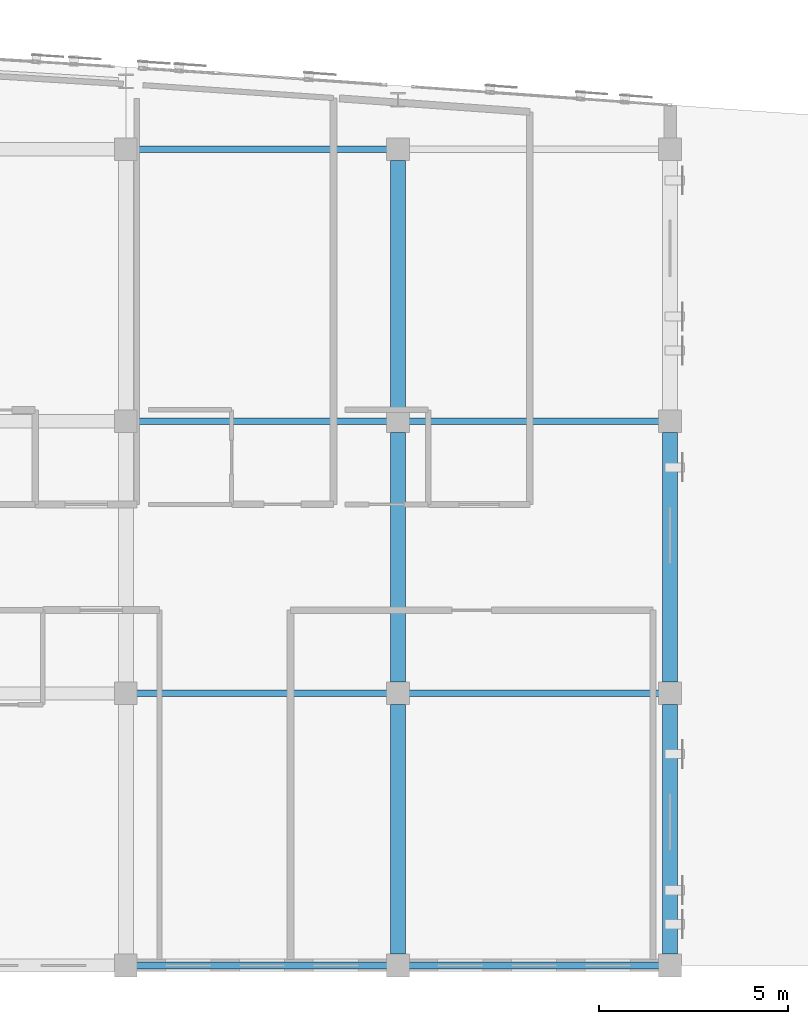
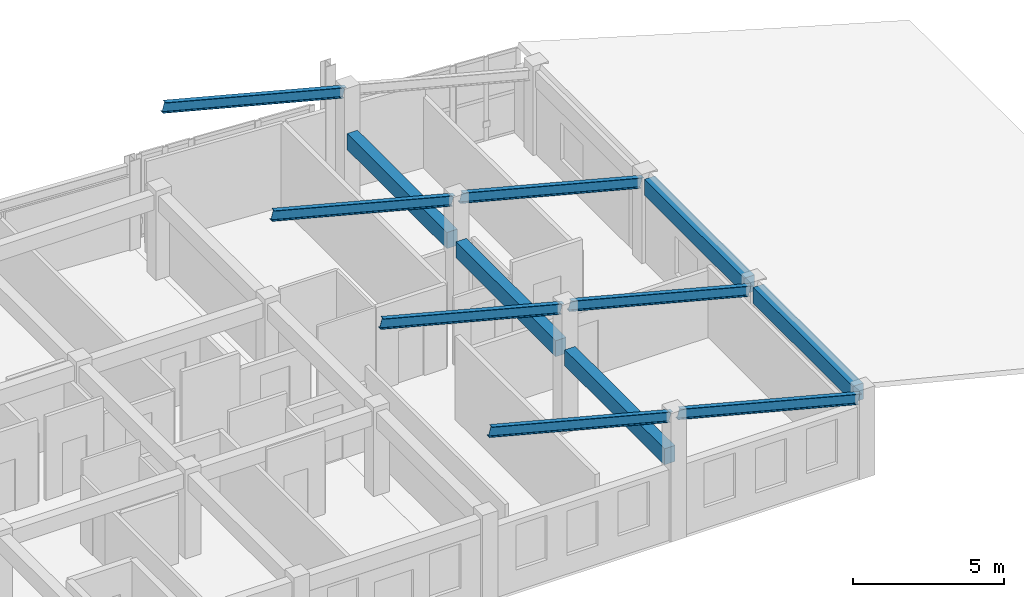
# One storey, part 22 of 41: 12 beams.
"""IFC4 building model written with IfcOpenShell, lengths in metres."""

import ifcopenshell
import ifcopenshell.guid

model = None  # the IFC model being written
_history = None  # IfcOwnerHistory: only IFC2X3 demands one
_inside = {}  # id of a spatial element -> (the spatial element, [elements in it])
_under = {}  # id of a project, library or spatial element -> (it, [spatial elements below it])
_declared = {}  # id of a project -> (the project, [libraries it declares])
_typed = {}  # id of a type object -> (the type object, [elements of that type])
_made_of = {}  # id of a material, layer set ... -> (it, [elements and type objects made of it])


def new_model(schema):
    """Start an empty IFC model of exactly this schema.

    Asked for "IFC4X3", IfcOpenShell would pick the latest addendum, in which some entities
    have other attributes; the version numbers below select the first issue.
    IFC2X3 requires an IfcOwnerHistory on every rooted entity: one is made here for all.
    """
    global model, _history
    if schema == "IFC4X3":
        model = ifcopenshell.file(schema_version=(4, 3, 0, 0))
    else:
        model = ifcopenshell.file(schema=schema)
    _inside.clear()
    _under.clear()
    _declared.clear()
    _typed.clear()
    _made_of.clear()
    _history = None
    if model.schema == "IFC2X3":
        org = make("IfcOrganization", Name="unknown")
        user = make(
            "IfcPersonAndOrganization",
            ThePerson=make("IfcPerson", FamilyName="unknown"),
            TheOrganization=org,
        )
        app = make(
            "IfcApplication",
            ApplicationDeveloper=org,
            Version="unknown",
            ApplicationFullName="unknown",
            ApplicationIdentifier="unknown",
        )
        _history = make(
            "IfcOwnerHistory",
            OwningUser=user,
            OwningApplication=app,
            ChangeAction="ADDED",
            CreationDate=0,
        )
    return model


def make(cls, **values):
    """One entity of the class cls with the attributes given. An attribute that is None is left unset."""
    return model.create_entity(
        cls, **{name: value for name, value in values.items() if value is not None}
    )


def rooted(cls, **values):
    """An entity with a GlobalId (a new one), such as an element, a storey or a relation."""
    return make(cls, GlobalId=ifcopenshell.guid.new(), OwnerHistory=_history, **values)


def si_unit(unit_type, name, prefix=None):
    """IfcSIUnit, for example si_unit("LENGTHUNIT", "METRE", prefix="MILLI")."""
    return make("IfcSIUnit", UnitType=unit_type, Prefix=prefix, Name=name)


def assignment(units):
    """IfcUnitAssignment: the units of a project."""
    return None if units is None else make("IfcUnitAssignment", Units=units)


def point(xyz):
    """IfcCartesianPoint."""
    return None if xyz is None else make("IfcCartesianPoint", Coordinates=xyz)


def direction(xyz):
    """IfcDirection."""
    return None if xyz is None else make("IfcDirection", DirectionRatios=xyz)


def frame(location, z_axis=None, x_axis=None):
    """IfcAxis2Placement3D, a coordinate frame: its origin and axes. An axis left out is left unset."""
    return make(
        "IfcAxis2Placement3D",
        Location=point(location),
        Axis=direction(z_axis),
        RefDirection=direction(x_axis),
    )


def frame_2d(location, x_axis=None):
    """IfcAxis2Placement2D, a coordinate frame in the plane: its origin and x axis."""
    return make(
        "IfcAxis2Placement2D", Location=point(location), RefDirection=direction(x_axis)
    )


def origin():
    """The frame at (0, 0, 0) with its axes left unset."""
    return frame((0.0, 0.0, 0.0))


def origin_2d():
    """The frame at (0, 0) in the plane with its x axis left unset."""
    return frame_2d((0.0, 0.0))


def place(relative_to, where):
    """IfcLocalPlacement: puts the frame where relative to a parent placement (None: the world)."""
    return make(
        "IfcLocalPlacement", PlacementRelTo=relative_to, RelativePlacement=where
    )


def context(
    kind, dimensions, precision=None, world=None, true_north=None, identifier=None
):
    """IfcGeometricRepresentationContext, for example the 3D "Model" context."""
    return make(
        "IfcGeometricRepresentationContext",
        ContextIdentifier=identifier,
        ContextType=kind,
        CoordinateSpaceDimension=dimensions,
        Precision=precision,
        WorldCoordinateSystem=world,
        TrueNorth=true_north,
    )


def subcontext(parent, identifier, kind, view, scale=None):
    """IfcGeometricRepresentationSubContext, for example "Body" below "Model"."""
    return make(
        "IfcGeometricRepresentationSubContext",
        ContextIdentifier=identifier,
        ContextType=kind,
        ParentContext=parent,
        TargetScale=scale,
        TargetView=view,
    )


def project(units=None, contexts=None):
    """IfcProject with its units and contexts."""
    return rooted(
        "IfcProject",
        Name="project",
        RepresentationContexts=contexts,
        UnitsInContext=assignment(units),
    )


def spatial(cls, under=None, at=None, **own):
    """A site, building, storey or space (cls), placed at a placement, below another one or the project."""
    s = rooted(cls, ObjectPlacement=at, **own)
    if under is not None:
        _under.setdefault(under.id(), (under, []))[1].append(s)
    return s


def profile(cls, at=None, kind="AREA", **sizes):
    """A parametric profile (cls). Its sizes go by their IFC names, for example OverallWidth=200.0."""
    return make(cls, ProfileType=kind, Position=at, **sizes)


def rectangle(**sizes):
    """IfcRectangleProfileDef."""
    return profile("IfcRectangleProfileDef", **sizes)


def i_section(**sizes):
    """IfcIShapeProfileDef."""
    return profile("IfcIShapeProfileDef", **sizes)


def extrude(swept, where, along, depth):
    """IfcExtrudedAreaSolid: the profile swept, set in the frame where, extruded along a direction by depth."""
    return make(
        "IfcExtrudedAreaSolid",
        SweptArea=swept,
        Position=where,
        ExtrudedDirection=direction(along),
        Depth=depth,
    )


def shape(context_of_items, identifier, shape_type, items):
    """IfcShapeRepresentation: the items that make up one representation, for example the "Body"."""
    return make(
        "IfcShapeRepresentation",
        ContextOfItems=context_of_items,
        RepresentationIdentifier=identifier,
        RepresentationType=shape_type,
        Items=items,
    )


def material(Name=None, Category=None):
    """IfcMaterial."""
    return make("IfcMaterial", Name=Name, Category=Category)


def material_profile(
    of_material, cross_section, Name=None, Category=None, Priority=None
):
    """IfcMaterialProfile: a cross section and its material."""
    return make(
        "IfcMaterialProfile",
        Name=Name,
        Material=of_material,
        Profile=cross_section,
        Priority=Priority,
        Category=Category,
    )


def profile_set(profiles, Name=None, composite=None):
    """IfcMaterialProfileSet."""
    return make(
        "IfcMaterialProfileSet",
        Name=Name,
        MaterialProfiles=profiles,
        CompositeProfile=composite,
    )


def made_of(thing, what):
    """Note that an element or type object is made of a material, layer set ...; save() writes the relation."""
    if what is not None:
        _made_of.setdefault(what.id(), (what, []))[1].append(thing)
    return thing


def type_object(cls, material=None, **own):
    """A type object (cls), such as IfcWallType, which elements share."""
    return made_of(rooted(cls, **own), material)


def element(
    cls,
    number,
    at=None,
    inside=None,
    cuts=None,
    type_object=None,
    material=None,
    context=None,
    identifier="Body",
    shape_type=None,
    held_by="IfcProductDefinitionShape",
    body=None,
    shapes=None,
    **own,
):
    """One element of the class cls, such as IfcWall. Its Tag is "e" and its number.

    at: its placement. inside: the storey or other place that contains it. cuts: it is an
    opening in that element (IfcRelVoidsElement). A single representation is given by context,
    identifier, shape_type and body (its items); several are given by shapes. held_by: the class
    of the entity that holds the representations. save() writes the other relations.
    """
    e = rooted(cls, Tag="e%d" % number, ObjectPlacement=at, **own)
    if body is not None:
        shapes = [shape(context, identifier, shape_type, body)]
    if shapes is not None:
        e.Representation = make(held_by, Representations=shapes)
    if inside is not None:
        _inside.setdefault(inside.id(), (inside, []))[1].append(e)
    if cuts is not None:
        rooted(
            "IfcRelVoidsElement", RelatingBuildingElement=cuts, RelatedOpeningElement=e
        )
    if type_object is not None:
        _typed.setdefault(type_object.id(), (type_object, []))[1].append(e)
    return made_of(e, material)


def aggregate(whole, parts):
    """IfcRelAggregates: a whole, such as a stair, and the parts it consists of."""
    return rooted("IfcRelAggregates", RelatingObject=whole, RelatedObjects=parts)


def save(model, path):
    """Write the relations noted so far, then the file.

    IfcRelAggregates (storeys below a building ...), IfcRelContainedInSpatialStructure (elements
    in a storey), IfcRelDefinesByType, IfcRelAssociatesMaterial and IfcRelDeclares: one each for
    every whole, place, type object, material and project.
    """
    for whole, parts in _under.values():
        aggregate(whole, parts)
    for where, things in _inside.values():
        rooted(
            "IfcRelContainedInSpatialStructure",
            RelatedElements=things,
            RelatingStructure=where,
        )
    for kind, things in _typed.values():
        rooted("IfcRelDefinesByType", RelatedObjects=things, RelatingType=kind)
    for what, things in _made_of.values():
        rooted("IfcRelAssociatesMaterial", RelatedObjects=things, RelatingMaterial=what)
    for by, libraries in _declared.values():
        rooted("IfcRelDeclares", RelatingContext=by, RelatedDefinitions=libraries)
    model.write(path)


model = new_model("IFC4")

# Units and contexts
model_context = context("Model", 3, precision=1e-05, world=origin(), true_north=direction((0.0, 1.0)))
body_context = subcontext(model_context, "Body", "Model", "MODEL_VIEW")
ifc_project = project(units=[si_unit("LENGTHUNIT", "METRE"), si_unit("AREAUNIT", "SQUARE_METRE"), si_unit("VOLUMEUNIT", "CUBIC_METRE"), si_unit("PLANEANGLEUNIT", "RADIAN"), si_unit("MASSUNIT", "GRAM", prefix="KILO")], contexts=[model_context])

# Site, building, storey
site_placement = place(None, origin())
site = spatial("IfcSite", under=ifc_project, at=site_placement, CompositionType="ELEMENT")
building_placement = place(site_placement, origin())
building = spatial("IfcBuilding", under=site, at=building_placement, Name="Carrowvane Square Congress Hotel", CompositionType="ELEMENT")
storey_placement = place(building_placement, frame((0.0, 0.0, 37.199951171875)))
storey = spatial("IfcBuildingStorey", under=building, at=storey_placement, Name="L09", CompositionType="ELEMENT", Elevation=37.199951171875)

# Beams
ifc_material_1 = material(Name="Concrete C35/45", Category="concrete")
ifc_material_profile_1 = material_profile(ifc_material_1, rectangle(XDim=0.39990234375, YDim=0.64990234375, at=origin_2d()), Name="RC 400x650")
ifc_profile_set_1 = profile_set([ifc_material_profile_1], Name="Concrete C35/45")
beam_type_1 = type_object("IfcBeamType", Name="BM-RC-400x650", PredefinedType="BEAM", material=ifc_profile_set_1)
for number, where, z_axis, x_axis, name in (
    (1, (134.0, 92.10009765625, 3.054931640625), (0.0, 1.0, 0.0), (-1.0, 0.0, 0.0), "L10 girder 18/N-P"),
    (2, (134.0, 99.300048828125, 3.054931640625), (0.0, 1.0, 0.0), (-1.0, 0.0, 0.0), "L10 girder 18/P-Q"),
):
    element("IfcBeam", number, at=place(storey_placement, frame(where, z_axis=z_axis, x_axis=x_axis)), inside=storey, type_object=beam_type_1, Name=name, PredefinedType="BEAM", context=body_context, shape_type="SweptSolid", body=[
        extrude(rectangle(XDim=0.39990234375, YDim=0.64990234375, at=origin_2d()), origin(), (0.0, 0.0, 1.0), 6.599853515625),
    ])
beam_placement = place(storey_placement, frame((134.0, 106.5, 3.054931640625), z_axis=(0.0, 1.0, 0.0), x_axis=(-1.0, 0.0, 0.0)))
element("IfcBeam", 3, at=beam_placement, inside=storey, type_object=beam_type_1, Name="L10 girder 18/Q-R", PredefinedType="BEAM", context=body_context, shape_type="SweptSolid", body=[
    extrude(rectangle(XDim=0.39990234375, YDim=0.64990234375, at=origin_2d()), origin(), (0.0, 0.0, 1.0), 6.60009765625),
])
for number, where, z_axis, x_axis, name in (
    (4, (141.199951171875, 92.10009765625, 3.054931640625), (0.0, 1.0, 0.0), (-1.0, 0.0, 0.0), "L10 girder 19/N-P"),
    (5, (141.199951171875, 99.300048828125, 3.054931640625), (0.0, 1.0, 0.0), (-1.0, 0.0, 0.0), "L10 girder 19/P-Q"),
):
    element("IfcBeam", number, at=place(storey_placement, frame(where, z_axis=z_axis, x_axis=x_axis)), inside=storey, type_object=beam_type_1, Name=name, PredefinedType="BEAM", context=body_context, shape_type="SweptSolid", body=[
        extrude(rectangle(XDim=0.39990234375, YDim=0.64990234375, at=origin_2d()), origin(), (0.0, 0.0, 1.0), 6.599853515625),
    ])
ifc_material_2 = material(Name="Steel S355", Category="steel")
ifc_material_profile_2 = material_profile(ifc_material_2, i_section(OverallWidth=0.1787109375, OverallDepth=0.409423828125, WebThickness=0.0087890625, FlangeThickness=0.014404296875, FilletRadius=0.01025390625, at=origin_2d()), Name="UKB 406x178x67")
ifc_profile_set_2 = profile_set([ifc_material_profile_2], Name="Steel S355")
beam_type_2 = type_object("IfcBeamType", Name="BM-ST-UKB406", PredefinedType="BEAM", material=ifc_profile_set_2)
for number, where, z_axis, x_axis, name in (
    (6, (126.949951171875, 91.800048828125, 6.679931640625), (0.967625270519, 0.0, -0.252391235689), (0.0, 1.0, 0.0), "L09 shallow-arc roof rafter 17"),
    (7, (126.949951171875, 99.0, 6.679931640625), (0.967625270519, 0.0, -0.252391235689), (0.0, 1.0, 0.0), "L09 shallow-arc roof rafter 18"),
    (8, (126.949951171875, 106.199951171875, 6.679931640625), (0.967625270519, 0.0, -0.252391235689), (0.0, 1.0, 0.0), "L09 shallow-arc roof rafter 19"),
    (9, (126.949951171875, 113.39990234375, 6.679931640625), (0.967625270519, 0.0, -0.252391235689), (0.0, 1.0, 0.0), "L09 shallow-arc roof rafter 20"),
    (10, (134.14990234375, 91.800048828125, 4.880126953125), (0.967616908826, 0.0, -0.252423290832), (0.0, 1.0, 0.0), "L09 shallow-arc roof rafter 21"),
    (11, (134.14990234375, 99.0, 4.880126953125), (0.967616908826, 0.0, -0.252423290832), (0.0, 1.0, 0.0), "L09 shallow-arc roof rafter 22"),
    (12, (134.14990234375, 106.199951171875, 4.880126953125), (0.967616908826, 0.0, -0.252423290832), (0.0, 1.0, 0.0), "L09 shallow-arc roof rafter 23"),
):
    element("IfcBeam", number, at=place(storey_placement, frame(where, z_axis=z_axis, x_axis=x_axis)), inside=storey, type_object=beam_type_2, Name=name, PredefinedType="BEAM", context=body_context, shape_type="SweptSolid", body=[
        extrude(i_section(OverallWidth=0.1787109375, OverallDepth=0.409423828125, WebThickness=0.0087890625, FlangeThickness=0.014404296875, FilletRadius=0.01025390625, at=origin_2d()), origin(), (0.0, 0.0, 1.0), 7.131103515625),
    ])

save(model, "model.ifc")
